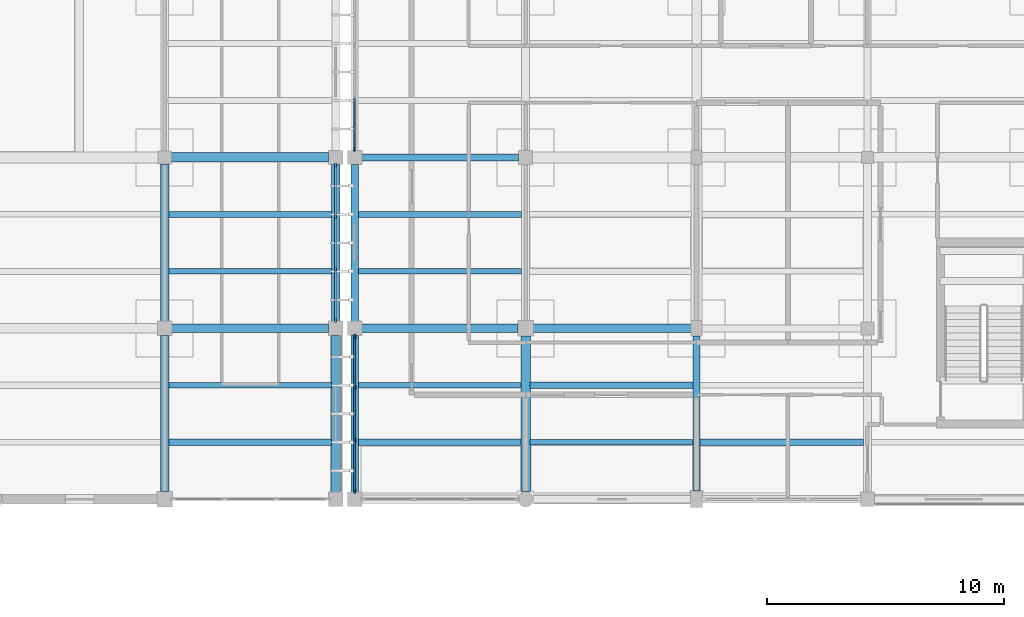
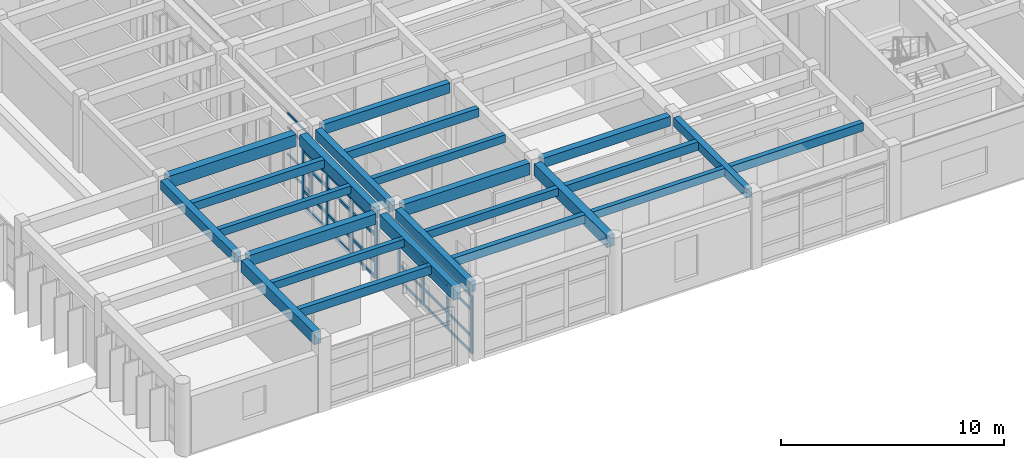
# One storey, part 30 of 100: 37 members, 24 beams, 3 elements without a shape of their own.
"""IFC4 building model written with IfcOpenShell, lengths in metres."""

from ifc_helpers import new_model, si_unit, direction, frame, origin, origin_2d, place, context, subcontext, project, spatial, rectangle, extrude, material, material_profile, profile_set, type_object, element, aggregate, save


model = new_model("IFC4")

# Units and contexts
model_context = context("Model", 3, precision=1e-05, world=origin(), true_north=direction((0.0, 1.0)))
body_context = subcontext(model_context, "Body", "Model", "MODEL_VIEW")
ifc_project = project(units=[si_unit("LENGTHUNIT", "METRE"), si_unit("AREAUNIT", "SQUARE_METRE"), si_unit("VOLUMEUNIT", "CUBIC_METRE"), si_unit("PLANEANGLEUNIT", "RADIAN"), si_unit("MASSUNIT", "GRAM", prefix="KILO")], contexts=[model_context])

# Site, building, storey
site_placement = place(None, origin())
site = spatial("IfcSite", under=ifc_project, at=site_placement, CompositionType="ELEMENT")
building_placement = place(site_placement, origin())
building = spatial("IfcBuilding", under=site, at=building_placement, Name="Steenspoor Specialist Clinic", CompositionType="ELEMENT")
storey_placement = place(building_placement, frame((0.0, 0.0, 9.0)))
storey = spatial("IfcBuildingStorey", under=building, at=storey_placement, Name="L02", CompositionType="ELEMENT", Elevation=9.0)

# Beams
ifc_material_1 = material(Name="Concrete C35/45", Category="concrete")
ifc_material_profile_1 = material_profile(ifc_material_1, rectangle(XDim=0.300048828125, YDim=0.47998046875, at=origin_2d()), Name="RC-BM-300X480")
ifc_profile_set_1 = profile_set([ifc_material_profile_1], Name="Concrete C35/45")
beam_type_1 = type_object("IfcBeamType", Name="BM-RC-300X480", PredefinedType="BEAM", material=ifc_profile_set_1)
beam_1_placement = place(storey_placement, frame((132.39990234375, 65.4951171875, 3.7099609375), z_axis=(0.0, 1.0, 0.0), x_axis=(-1.0, 0.0, 0.0)))
element("IfcBeam", 1, at=beam_1_placement, inside=storey, type_object=beam_type_1, Name="BM-V6-L02-Y1639", PredefinedType="BEAM", context=body_context, shape_type="SweptSolid", body=[
    extrude(rectangle(XDim=0.300048828125, YDim=0.47998046875, at=origin_2d()), origin(), (0.0, 0.0, 1.0), 6.534912109375),
])
ifc_material_profile_2 = material_profile(ifc_material_1, rectangle(XDim=0.300048828125, YDim=0.550048828125, at=origin_2d()), Name="RC-BM-300X550")
ifc_profile_set_2 = profile_set([ifc_material_profile_2], Name="Concrete C35/45")
beam_type_2 = type_object("IfcBeamType", Name="BM-RC-300X550", PredefinedType="BEAM", material=ifc_profile_set_2)
beam_2_placement = place(storey_placement, frame((118.294921875, 79.550048828125, 3.675048828125), z_axis=(1.0, 0.0, 0.0), x_axis=(0.0, 1.0, 0.0)))
element("IfcBeam", 2, at=beam_2_placement, inside=storey, type_object=beam_type_2, Name="BM-V6-L02-X1608", PredefinedType="BEAM", context=body_context, shape_type="SweptSolid", body=[
    extrude(rectangle(XDim=0.300048828125, YDim=0.550048828125, at=origin_2d()), origin(), (0.0, 0.0, 1.0), 6.610107421875),
])
ifc_material_profile_3 = material_profile(ifc_material_1, rectangle(XDim=0.35009765625, YDim=0.52001953125, at=origin_2d()), Name="RC-BM-350X520")
ifc_profile_set_3 = profile_set([ifc_material_profile_3], Name="Concrete C35/45")
beam_type_3 = type_object("IfcBeamType", Name="BM-RC-350X520", PredefinedType="BEAM", material=ifc_profile_set_3)
beam_3_placement = place(storey_placement, frame((110.0, 72.64501953125, 3.68994140625), z_axis=(0.0, 1.0, 0.0), x_axis=(-1.0, 0.0, 0.0)))
element("IfcBeam", 3, at=beam_3_placement, inside=storey, type_object=beam_type_3, Name="BM-V4-L02-Y0726", PredefinedType="BEAM", context=body_context, shape_type="SweptSolid", body=[
    extrude(rectangle(XDim=0.35009765625, YDim=0.52001953125, at=origin_2d()), origin(), (0.0, 0.0, 1.0), 6.635009765625),
])
beam_4_placement = place(storey_placement, frame((125.52001953125, 72.35009765625, 3.68994140625), z_axis=(1.0, 0.0, 0.0), x_axis=(0.0, 1.0, 0.0)))
element("IfcBeam", 4, at=beam_4_placement, inside=storey, type_object=beam_type_3, Name="BM-V6-L02-X1606", PredefinedType="BEAM", context=body_context, shape_type="SweptSolid", body=[
    extrude(rectangle(XDim=0.35009765625, YDim=0.52001953125, at=origin_2d()), origin(), (0.0, 0.0, 1.0), 6.659912109375),
])
ifc_material_profile_4 = material_profile(ifc_material_1, rectangle(XDim=0.35009765625, YDim=0.580078125, at=origin_2d()), Name="RC-BM-350X580")
ifc_profile_set_4 = profile_set([ifc_material_profile_4], Name="Concrete C35/45")
beam_type_4 = type_object("IfcBeamType", Name="BM-RC-350X580", PredefinedType="BEAM", material=ifc_profile_set_4)
beam_5_placement = place(storey_placement, frame((110.294921875, 72.35009765625, 3.659912109375), z_axis=(1.0, 0.0, 0.0), x_axis=(0.0, 1.0, 0.0)))
element("IfcBeam", 5, at=beam_5_placement, inside=storey, type_object=beam_type_4, Name="BM-V4-L02-X0648", PredefinedType="BEAM", context=body_context, shape_type="SweptSolid", body=[
    extrude(rectangle(XDim=0.35009765625, YDim=0.580078125, at=origin_2d()), origin(), (0.0, 0.0, 1.0), 6.610107421875),
])
ifc_material_profile_5 = material_profile(ifc_material_1, rectangle(XDim=0.35009765625, YDim=0.64990234375, at=origin_2d()), Name="RC-BM-350X650")
ifc_profile_set_5 = profile_set([ifc_material_profile_5], Name="Concrete C35/45")
beam_type_5 = type_object("IfcBeamType", Name="BM-RC-350X650", PredefinedType="BEAM", material=ifc_profile_set_5)
for number, where, z_axis, x_axis, name in (
    (6, (110.0, 65.469970703125, 3.625), (0.0, 1.0, 0.0), (-1.0, 0.0, 0.0), "BM-V4-L02-Y0725"),
    (7, (118.294921875, 72.35009765625, 3.625), (1.0, 0.0, 0.0), (0.0, 1.0, 0.0), "BM-V6-L02-X1605"),
):
    element("IfcBeam", number, at=place(storey_placement, frame(where, z_axis=z_axis, x_axis=x_axis)), inside=storey, type_object=beam_type_5, Name=name, PredefinedType="BEAM", context=body_context, shape_type="SweptSolid", body=[
        extrude(rectangle(XDim=0.35009765625, YDim=0.64990234375, at=origin_2d()), origin(), (0.0, 0.0, 1.0), 6.5849609375),
    ])
ifc_material_profile_6 = material_profile(ifc_material_1, rectangle(XDim=0.39990234375, YDim=0.64990234375, at=origin_2d()), Name="RC-BM-400X650")
ifc_profile_set_6 = profile_set([ifc_material_profile_6], Name="Concrete C35/45")
beam_type_6 = type_object("IfcBeamType", Name="BM-RC-400X650", PredefinedType="BEAM", material=ifc_profile_set_6)
beam_6_placement = place(storey_placement, frame((110.27001953125, 79.550048828125, 3.625), z_axis=(1.0, 0.0, 0.0), x_axis=(0.0, 1.0, 0.0)))
element("IfcBeam", 8, at=beam_6_placement, inside=storey, type_object=beam_type_6, Name="BM-V4-L02-X0655", PredefinedType="BEAM", context=body_context, shape_type="SweptSolid", body=[
    extrude(rectangle(XDim=0.39990234375, YDim=0.64990234375, at=origin_2d()), origin(), (0.0, 0.0, 1.0), 6.635009765625),
])
beam_7_placement = place(storey_placement, frame((125.199951171875, 65.469970703125, 3.625), z_axis=(0.0, 1.0, 0.0), x_axis=(-1.0, 0.0, 0.0)))
element("IfcBeam", 9, at=beam_7_placement, inside=storey, type_object=beam_type_6, Name="BM-V6-L02-Y1633", PredefinedType="BEAM", context=body_context, shape_type="SweptSolid", body=[
    extrude(rectangle(XDim=0.39990234375, YDim=0.64990234375, at=origin_2d()), origin(), (0.0, 0.0, 1.0), 6.56005859375),
])

# Curtain wall, member
ifc_material_2 = material(Name="Thermally broken aluminium and low-emissivity glass", Category="aluminium")
curtain_wall_type_1 = type_object("IfcCurtainWallType", Name="CW-WLK-640X340", PredefinedType="USERDEFINED", material=ifc_material_2)
curtain_wall_1_placement = place(storey_placement, origin())
curtain_wall_1 = element("IfcCurtainWall", 10, at=curtain_wall_1_placement, inside=storey, type_object=curtain_wall_type_1, Name="Unitised Curtain Wall CW-V6-L02-188", ObjectType="UNITISED GLAZING", PredefinedType="USERDEFINED")
ifc_material_3 = material(Name="Thermally broken aluminium 6063-T6", Category="aluminium")
ifc_material_profile_7 = material_profile(ifc_material_3, rectangle(XDim=0.070068359375, YDim=0.1650390625, at=origin_2d()), Name="CWM-70X165")
ifc_profile_set_7 = profile_set([ifc_material_profile_7], Name="Thermally broken aluminium 6063-T6")
member_type_1 = type_object("IfcMemberType", Name="CW-MULL-70X165", PredefinedType="MULLION", material=ifc_profile_set_7)
member_1_placement = place(storey_placement, frame((118.0, 79.885009765625, 0.0), z_axis=(0.0, 0.0, 1.0), x_axis=(-1.0, 0.0, 0.0)))
member_1 = element("IfcMember", 11, at=member_1_placement, type_object=member_type_1, Name="CW-20 mullion 1", PredefinedType="MULLION", context=body_context, shape_type="SweptSolid", body=[
    extrude(rectangle(XDim=0.070068359375, YDim=0.1650390625, at=origin_2d()), origin(), (0.0, 0.0, 1.0), 3.1298828125),
])

# Curtain wall, members
curtain_wall_type_2 = type_object("IfcCurtainWallType", Name="CW-SCR-360X320", PredefinedType="USERDEFINED", material=ifc_material_2)
curtain_wall_2_placement = place(storey_placement, origin())
curtain_wall_2 = element("IfcCurtainWall", 12, at=curtain_wall_2_placement, inside=storey, type_object=curtain_wall_type_2, Name="Unitised Curtain Wall CW-V6-L02-187", ObjectType="UNITISED GLAZING", PredefinedType="USERDEFINED")
ifc_material_profile_8 = material_profile(ifc_material_3, rectangle(XDim=0.080078125, YDim=0.179931640625, at=origin_2d()), Name="CWM-80X180")
ifc_profile_set_8 = profile_set([ifc_material_profile_8], Name="Thermally broken aluminium 6063-T6")
member_type_2 = type_object("IfcMemberType", Name="CW-MULL-80X180", PredefinedType="MULLION", material=ifc_profile_set_8)
member_2_placement = place(storey_placement, frame((118.0, 65.489990234375, 0.0), z_axis=(0.0, 0.0, 1.0), x_axis=(-1.0, 0.0, 0.0)))
member_2 = element("IfcMember", 13, at=member_2_placement, type_object=member_type_2, Name="CW-19 mullion 1", PredefinedType="MULLION", context=body_context, shape_type="SweptSolid", body=[
    extrude(rectangle(XDim=0.080078125, YDim=0.179931640625, at=origin_2d()), origin(), (0.0, 0.0, 1.0), 3.1298828125),
])
member_3_placement = place(storey_placement, frame((118.0, 67.64990234375, 0.0), z_axis=(0.0, 0.0, 1.0), x_axis=(-1.0, 0.0, 0.0)))
member_3 = element("IfcMember", 14, at=member_3_placement, type_object=member_type_2, Name="CW-19 mullion 2", PredefinedType="MULLION", context=body_context, shape_type="SweptSolid", body=[
    extrude(rectangle(XDim=0.080078125, YDim=0.179931640625, at=origin_2d()), origin(), (0.0, 0.0, 1.0), 3.1298828125),
])
member_4_placement = place(storey_placement, frame((118.0, 69.85009765625, 0.0), z_axis=(0.0, 0.0, 1.0), x_axis=(-1.0, 0.0, 0.0)))
member_4 = element("IfcMember", 15, at=member_4_placement, type_object=member_type_2, Name="CW-19 mullion 3", PredefinedType="MULLION", context=body_context, shape_type="SweptSolid", body=[
    extrude(rectangle(XDim=0.080078125, YDim=0.179931640625, at=origin_2d()), origin(), (0.0, 0.0, 1.0), 3.1298828125),
])
member_5_placement = place(storey_placement, frame((118.0, 72.010009765625, 0.0), z_axis=(0.0, 0.0, 1.0), x_axis=(-1.0, 0.0, 0.0)))
member_5 = element("IfcMember", 16, at=member_5_placement, type_object=member_type_2, Name="CW-19 mullion 4", PredefinedType="MULLION", context=body_context, shape_type="SweptSolid", body=[
    extrude(rectangle(XDim=0.080078125, YDim=0.179931640625, at=origin_2d()), origin(), (0.0, 0.0, 1.0), 3.1298828125),
])

curtain_wall_type_3 = type_object("IfcCurtainWallType", Name="CW-SCR-660X320", PredefinedType="USERDEFINED", material=ifc_material_2)
curtain_wall_3_placement = place(storey_placement, origin())
curtain_wall_3 = element("IfcCurtainWall", 17, at=curtain_wall_3_placement, inside=storey, type_object=curtain_wall_type_3, Name="Unitised Curtain Wall CW-V4-L02-089", ObjectType="UNITISED GLAZING", PredefinedType="USERDEFINED")
ifc_material_profile_9 = material_profile(ifc_material_3, rectangle(XDim=0.090087890625, YDim=0.199951171875, at=origin_2d()), Name="CWM-90X200")
ifc_profile_set_9 = profile_set([ifc_material_profile_9], Name="Thermally broken aluminium 6063-T6")
member_type_3 = type_object("IfcMemberType", Name="CW-MULL-90X200", PredefinedType="MULLION", material=ifc_profile_set_9)
member_6_placement = place(storey_placement, frame((117.199951171875, 79.205078125, 0.0), z_axis=(0.0, 0.0, 1.0), x_axis=(1.0, 0.0, 0.0)))
member_6 = element("IfcMember", 18, at=member_6_placement, type_object=member_type_3, Name="CW-17 mullion 1", PredefinedType="MULLION", context=body_context, shape_type="SweptSolid", body=[
    extrude(rectangle(XDim=0.090087890625, YDim=0.199951171875, at=origin_2d()), origin(), (0.0, 0.0, 1.0), 3.1298828125),
])
member_7_placement = place(storey_placement, frame((117.199951171875, 77.050048828125, 0.0), z_axis=(0.0, 0.0, 1.0), x_axis=(1.0, 0.0, 0.0)))
member_7 = element("IfcMember", 19, at=member_7_placement, type_object=member_type_3, Name="CW-17 mullion 2", PredefinedType="MULLION", context=body_context, shape_type="SweptSolid", body=[
    extrude(rectangle(XDim=0.090087890625, YDim=0.199951171875, at=origin_2d()), origin(), (0.0, 0.0, 1.0), 3.1298828125),
])
member_8_placement = place(storey_placement, frame((117.199951171875, 74.85009765625, 0.0), z_axis=(0.0, 0.0, 1.0), x_axis=(1.0, 0.0, 0.0)))
member_8 = element("IfcMember", 20, at=member_8_placement, type_object=member_type_3, Name="CW-17 mullion 3", PredefinedType="MULLION", context=body_context, shape_type="SweptSolid", body=[
    extrude(rectangle(XDim=0.090087890625, YDim=0.199951171875, at=origin_2d()), origin(), (0.0, 0.0, 1.0), 3.1298828125),
])
member_9_placement = place(storey_placement, frame((117.199951171875, 72.695068359375, 0.0), z_axis=(0.0, 0.0, 1.0), x_axis=(1.0, 0.0, 0.0)))
member_9 = element("IfcMember", 21, at=member_9_placement, type_object=member_type_3, Name="CW-17 mullion 4", PredefinedType="MULLION", context=body_context, shape_type="SweptSolid", body=[
    extrude(rectangle(XDim=0.090087890625, YDim=0.199951171875, at=origin_2d()), origin(), (0.0, 0.0, 1.0), 3.1298828125),
])

# Member
ifc_material_profile_10 = material_profile(ifc_material_3, rectangle(XDim=0.06005859375, YDim=0.114990234375, at=origin_2d()), Name="CWT-60X115")
ifc_profile_set_10 = profile_set([ifc_material_profile_10], Name="Thermally broken aluminium 6063-T6")
member_type_4 = type_object("IfcMemberType", Name="CW-TRAN-60X115", PredefinedType="USERDEFINED", material=ifc_profile_set_10)
member_10_placement = place(storey_placement, frame((118.0, 79.919921875, 0.030029296875), z_axis=(0.0, 1.0, 0.0), x_axis=(-1.0, 0.0, 0.0)))
member_10 = element("IfcMember", 22, at=member_10_placement, type_object=member_type_4, Name="CW-20 transom 1.1", ObjectType="TRANSOM", PredefinedType="USERDEFINED", context=body_context, shape_type="SweptSolid", body=[
    extrude(rectangle(XDim=0.06005859375, YDim=0.114990234375, at=origin_2d()), origin(), (0.0, 0.0, 1.0), 2.094970703125),
])

member_11_placement = place(storey_placement, frame((118.0, 79.919921875, 0.89990234375), z_axis=(0.0, 1.0, 0.0), x_axis=(-1.0, 0.0, 0.0)))
member_11 = element("IfcMember", 23, at=member_11_placement, type_object=member_type_4, Name="CW-20 transom 1.2", ObjectType="TRANSOM", PredefinedType="USERDEFINED", context=body_context, shape_type="SweptSolid", body=[
    extrude(rectangle(XDim=0.06005859375, YDim=0.114990234375, at=origin_2d()), origin(), (0.0, 0.0, 1.0), 2.094970703125),
])

member_12_placement = place(storey_placement, frame((118.0, 79.919921875, 2.35009765625), z_axis=(0.0, 1.0, 0.0), x_axis=(-1.0, 0.0, 0.0)))
member_12 = element("IfcMember", 24, at=member_12_placement, type_object=member_type_4, Name="CW-20 transom 1.3", ObjectType="TRANSOM", PredefinedType="USERDEFINED", context=body_context, shape_type="SweptSolid", body=[
    extrude(rectangle(XDim=0.06005859375, YDim=0.114990234375, at=origin_2d()), origin(), (0.0, 0.0, 1.0), 2.094970703125),
])

member_13_placement = place(storey_placement, frame((118.0, 79.919921875, 3.10009765625), z_axis=(0.0, 1.0, 0.0), x_axis=(-1.0, 0.0, 0.0)))
member_13 = element("IfcMember", 25, at=member_13_placement, type_object=member_type_4, Name="CW-20 transom 1.4", ObjectType="TRANSOM", PredefinedType="USERDEFINED", context=body_context, shape_type="SweptSolid", body=[
    extrude(rectangle(XDim=0.06005859375, YDim=0.114990234375, at=origin_2d()), origin(), (0.0, 0.0, 1.0), 2.094970703125),
])

aggregate(curtain_wall_1, [member_1, member_10, member_11, member_12, member_13])

ifc_material_profile_11 = material_profile(ifc_material_3, rectangle(XDim=0.06494140625, YDim=0.1298828125, at=origin_2d()), Name="CWT-65X130")
ifc_profile_set_11 = profile_set([ifc_material_profile_11], Name="Thermally broken aluminium 6063-T6")
member_type_5 = type_object("IfcMemberType", Name="CW-TRAN-65X130", PredefinedType="USERDEFINED", material=ifc_profile_set_11)
member_14_placement = place(storey_placement, frame((118.0, 65.530029296875, 0.032470703125), z_axis=(0.0, 1.0, 0.0), x_axis=(-1.0, 0.0, 0.0)))
member_14 = element("IfcMember", 26, at=member_14_placement, type_object=member_type_5, Name="CW-19 transom 1.1", ObjectType="TRANSOM", PredefinedType="USERDEFINED", context=body_context, shape_type="SweptSolid", body=[
    extrude(rectangle(XDim=0.06494140625, YDim=0.1298828125, at=origin_2d()), origin(), (0.0, 0.0, 1.0), 2.080078125),
])

member_15_placement = place(storey_placement, frame((118.0, 65.530029296875, 0.89990234375), z_axis=(0.0, 1.0, 0.0), x_axis=(-1.0, 0.0, 0.0)))
member_15 = element("IfcMember", 27, at=member_15_placement, type_object=member_type_5, Name="CW-19 transom 1.2", ObjectType="TRANSOM", PredefinedType="USERDEFINED", context=body_context, shape_type="SweptSolid", body=[
    extrude(rectangle(XDim=0.06494140625, YDim=0.1298828125, at=origin_2d()), origin(), (0.0, 0.0, 1.0), 2.080078125),
])

member_16_placement = place(storey_placement, frame((118.0, 65.530029296875, 2.35009765625), z_axis=(0.0, 1.0, 0.0), x_axis=(-1.0, 0.0, 0.0)))
member_16 = element("IfcMember", 28, at=member_16_placement, type_object=member_type_5, Name="CW-19 transom 1.3", ObjectType="TRANSOM", PredefinedType="USERDEFINED", context=body_context, shape_type="SweptSolid", body=[
    extrude(rectangle(XDim=0.06494140625, YDim=0.1298828125, at=origin_2d()), origin(), (0.0, 0.0, 1.0), 2.080078125),
])

member_17_placement = place(storey_placement, frame((118.0, 65.530029296875, 3.097412109375), z_axis=(0.0, 1.0, 0.0), x_axis=(-1.0, 0.0, 0.0)))
member_17 = element("IfcMember", 29, at=member_17_placement, type_object=member_type_5, Name="CW-19 transom 1.4", ObjectType="TRANSOM", PredefinedType="USERDEFINED", context=body_context, shape_type="SweptSolid", body=[
    extrude(rectangle(XDim=0.06494140625, YDim=0.1298828125, at=origin_2d()), origin(), (0.0, 0.0, 1.0), 2.080078125),
])

member_18_placement = place(storey_placement, frame((118.0, 67.68994140625, 0.032470703125), z_axis=(0.0, 1.0, 0.0), x_axis=(-1.0, 0.0, 0.0)))
member_18 = element("IfcMember", 30, at=member_18_placement, type_object=member_type_5, Name="CW-19 transom 2.1", ObjectType="TRANSOM", PredefinedType="USERDEFINED", context=body_context, shape_type="SweptSolid", body=[
    extrude(rectangle(XDim=0.06494140625, YDim=0.1298828125, at=origin_2d()), origin(), (0.0, 0.0, 1.0), 2.1201171875),
])

member_19_placement = place(storey_placement, frame((118.0, 67.68994140625, 0.89990234375), z_axis=(0.0, 1.0, 0.0), x_axis=(-1.0, 0.0, 0.0)))
member_19 = element("IfcMember", 31, at=member_19_placement, type_object=member_type_5, Name="CW-19 transom 2.2", ObjectType="TRANSOM", PredefinedType="USERDEFINED", context=body_context, shape_type="SweptSolid", body=[
    extrude(rectangle(XDim=0.06494140625, YDim=0.1298828125, at=origin_2d()), origin(), (0.0, 0.0, 1.0), 2.1201171875),
])

member_20_placement = place(storey_placement, frame((118.0, 67.68994140625, 2.35009765625), z_axis=(0.0, 1.0, 0.0), x_axis=(-1.0, 0.0, 0.0)))
member_20 = element("IfcMember", 32, at=member_20_placement, type_object=member_type_5, Name="CW-19 transom 2.3", ObjectType="TRANSOM", PredefinedType="USERDEFINED", context=body_context, shape_type="SweptSolid", body=[
    extrude(rectangle(XDim=0.06494140625, YDim=0.1298828125, at=origin_2d()), origin(), (0.0, 0.0, 1.0), 2.1201171875),
])

member_21_placement = place(storey_placement, frame((118.0, 67.68994140625, 3.097412109375), z_axis=(0.0, 1.0, 0.0), x_axis=(-1.0, 0.0, 0.0)))
member_21 = element("IfcMember", 33, at=member_21_placement, type_object=member_type_5, Name="CW-19 transom 2.4", ObjectType="TRANSOM", PredefinedType="USERDEFINED", context=body_context, shape_type="SweptSolid", body=[
    extrude(rectangle(XDim=0.06494140625, YDim=0.1298828125, at=origin_2d()), origin(), (0.0, 0.0, 1.0), 2.1201171875),
])

member_22_placement = place(storey_placement, frame((118.0, 69.889892578125, 0.032470703125), z_axis=(0.0, 1.0, 0.0), x_axis=(-1.0, 0.0, 0.0)))
member_22 = element("IfcMember", 34, at=member_22_placement, type_object=member_type_5, Name="CW-19 transom 3.1", ObjectType="TRANSOM", PredefinedType="USERDEFINED", context=body_context, shape_type="SweptSolid", body=[
    extrude(rectangle(XDim=0.06494140625, YDim=0.1298828125, at=origin_2d()), origin(), (0.0, 0.0, 1.0), 2.080078125),
])

member_23_placement = place(storey_placement, frame((118.0, 69.889892578125, 0.89990234375), z_axis=(0.0, 1.0, 0.0), x_axis=(-1.0, 0.0, 0.0)))
member_23 = element("IfcMember", 35, at=member_23_placement, type_object=member_type_5, Name="CW-19 transom 3.2", ObjectType="TRANSOM", PredefinedType="USERDEFINED", context=body_context, shape_type="SweptSolid", body=[
    extrude(rectangle(XDim=0.06494140625, YDim=0.1298828125, at=origin_2d()), origin(), (0.0, 0.0, 1.0), 2.080078125),
])

member_24_placement = place(storey_placement, frame((118.0, 69.889892578125, 2.35009765625), z_axis=(0.0, 1.0, 0.0), x_axis=(-1.0, 0.0, 0.0)))
member_24 = element("IfcMember", 36, at=member_24_placement, type_object=member_type_5, Name="CW-19 transom 3.3", ObjectType="TRANSOM", PredefinedType="USERDEFINED", context=body_context, shape_type="SweptSolid", body=[
    extrude(rectangle(XDim=0.06494140625, YDim=0.1298828125, at=origin_2d()), origin(), (0.0, 0.0, 1.0), 2.080078125),
])

member_25_placement = place(storey_placement, frame((118.0, 69.889892578125, 3.097412109375), z_axis=(0.0, 1.0, 0.0), x_axis=(-1.0, 0.0, 0.0)))
member_25 = element("IfcMember", 37, at=member_25_placement, type_object=member_type_5, Name="CW-19 transom 3.4", ObjectType="TRANSOM", PredefinedType="USERDEFINED", context=body_context, shape_type="SweptSolid", body=[
    extrude(rectangle(XDim=0.06494140625, YDim=0.1298828125, at=origin_2d()), origin(), (0.0, 0.0, 1.0), 2.080078125),
])

aggregate(curtain_wall_2, [member_2, member_3, member_4, member_5, member_14, member_15, member_16, member_17, member_18, member_19, member_20, member_21, member_22, member_23, member_24, member_25])

ifc_material_profile_12 = material_profile(ifc_material_3, rectangle(XDim=0.090087890625, YDim=0.175048828125, at=origin_2d()), Name="CWT-90X175")
ifc_profile_set_12 = profile_set([ifc_material_profile_12], Name="Thermally broken aluminium 6063-T6")
member_type_6 = type_object("IfcMemberType", Name="CW-TRAN-90X175", PredefinedType="USERDEFINED", material=ifc_profile_set_12)
member_26_placement = place(storey_placement, frame((117.199951171875, 79.159912109375, 0.044921875), z_axis=(0.0, -1.0, 0.0), x_axis=(1.0, 0.0, 0.0)))
member_26 = element("IfcMember", 38, at=member_26_placement, type_object=member_type_6, Name="CW-17 transom 1.1", ObjectType="TRANSOM", PredefinedType="USERDEFINED", context=body_context, shape_type="SweptSolid", body=[
    extrude(rectangle(XDim=0.090087890625, YDim=0.175048828125, at=origin_2d()), origin(), (0.0, 0.0, 1.0), 2.06494140625),
])

member_27_placement = place(storey_placement, frame((117.199951171875, 79.159912109375, 0.89990234375), z_axis=(0.0, -1.0, 0.0), x_axis=(1.0, 0.0, 0.0)))
member_27 = element("IfcMember", 39, at=member_27_placement, type_object=member_type_6, Name="CW-17 transom 1.2", ObjectType="TRANSOM", PredefinedType="USERDEFINED", context=body_context, shape_type="SweptSolid", body=[
    extrude(rectangle(XDim=0.090087890625, YDim=0.175048828125, at=origin_2d()), origin(), (0.0, 0.0, 1.0), 2.06494140625),
])

member_28_placement = place(storey_placement, frame((117.199951171875, 79.159912109375, 2.35009765625), z_axis=(0.0, -1.0, 0.0), x_axis=(1.0, 0.0, 0.0)))
member_28 = element("IfcMember", 40, at=member_28_placement, type_object=member_type_6, Name="CW-17 transom 1.3", ObjectType="TRANSOM", PredefinedType="USERDEFINED", context=body_context, shape_type="SweptSolid", body=[
    extrude(rectangle(XDim=0.090087890625, YDim=0.175048828125, at=origin_2d()), origin(), (0.0, 0.0, 1.0), 2.06494140625),
])

member_29_placement = place(storey_placement, frame((117.199951171875, 79.159912109375, 3.0849609375), z_axis=(0.0, -1.0, 0.0), x_axis=(1.0, 0.0, 0.0)))
member_29 = element("IfcMember", 41, at=member_29_placement, type_object=member_type_6, Name="CW-17 transom 1.4", ObjectType="TRANSOM", PredefinedType="USERDEFINED", context=body_context, shape_type="SweptSolid", body=[
    extrude(rectangle(XDim=0.090087890625, YDim=0.175048828125, at=origin_2d()), origin(), (0.0, 0.0, 1.0), 2.06494140625),
])

member_30_placement = place(storey_placement, frame((117.199951171875, 77.0048828125, 0.044921875), z_axis=(0.0, -1.0, 0.0), x_axis=(1.0, 0.0, 0.0)))
member_30 = element("IfcMember", 42, at=member_30_placement, type_object=member_type_6, Name="CW-17 transom 2.1", ObjectType="TRANSOM", PredefinedType="USERDEFINED", context=body_context, shape_type="SweptSolid", body=[
    extrude(rectangle(XDim=0.090087890625, YDim=0.175048828125, at=origin_2d()), origin(), (0.0, 0.0, 1.0), 2.10986328125),
])

member_31_placement = place(storey_placement, frame((117.199951171875, 77.0048828125, 0.89990234375), z_axis=(0.0, -1.0, 0.0), x_axis=(1.0, 0.0, 0.0)))
member_31 = element("IfcMember", 43, at=member_31_placement, type_object=member_type_6, Name="CW-17 transom 2.2", ObjectType="TRANSOM", PredefinedType="USERDEFINED", context=body_context, shape_type="SweptSolid", body=[
    extrude(rectangle(XDim=0.090087890625, YDim=0.175048828125, at=origin_2d()), origin(), (0.0, 0.0, 1.0), 2.10986328125),
])

member_32_placement = place(storey_placement, frame((117.199951171875, 77.0048828125, 2.35009765625), z_axis=(0.0, -1.0, 0.0), x_axis=(1.0, 0.0, 0.0)))
member_32 = element("IfcMember", 44, at=member_32_placement, type_object=member_type_6, Name="CW-17 transom 2.3", ObjectType="TRANSOM", PredefinedType="USERDEFINED", context=body_context, shape_type="SweptSolid", body=[
    extrude(rectangle(XDim=0.090087890625, YDim=0.175048828125, at=origin_2d()), origin(), (0.0, 0.0, 1.0), 2.10986328125),
])

member_33_placement = place(storey_placement, frame((117.199951171875, 77.0048828125, 3.0849609375), z_axis=(0.0, -1.0, 0.0), x_axis=(1.0, 0.0, 0.0)))
member_33 = element("IfcMember", 45, at=member_33_placement, type_object=member_type_6, Name="CW-17 transom 2.4", ObjectType="TRANSOM", PredefinedType="USERDEFINED", context=body_context, shape_type="SweptSolid", body=[
    extrude(rectangle(XDim=0.090087890625, YDim=0.175048828125, at=origin_2d()), origin(), (0.0, 0.0, 1.0), 2.10986328125),
])

member_34_placement = place(storey_placement, frame((117.199951171875, 74.804931640625, 0.044921875), z_axis=(0.0, -1.0, 0.0), x_axis=(1.0, 0.0, 0.0)))
member_34 = element("IfcMember", 46, at=member_34_placement, type_object=member_type_6, Name="CW-17 transom 3.1", ObjectType="TRANSOM", PredefinedType="USERDEFINED", context=body_context, shape_type="SweptSolid", body=[
    extrude(rectangle(XDim=0.090087890625, YDim=0.175048828125, at=origin_2d()), origin(), (0.0, 0.0, 1.0), 2.06494140625),
])

member_35_placement = place(storey_placement, frame((117.199951171875, 74.804931640625, 0.89990234375), z_axis=(0.0, -1.0, 0.0), x_axis=(1.0, 0.0, 0.0)))
member_35 = element("IfcMember", 47, at=member_35_placement, type_object=member_type_6, Name="CW-17 transom 3.2", ObjectType="TRANSOM", PredefinedType="USERDEFINED", context=body_context, shape_type="SweptSolid", body=[
    extrude(rectangle(XDim=0.090087890625, YDim=0.175048828125, at=origin_2d()), origin(), (0.0, 0.0, 1.0), 2.06494140625),
])

member_36_placement = place(storey_placement, frame((117.199951171875, 74.804931640625, 2.35009765625), z_axis=(0.0, -1.0, 0.0), x_axis=(1.0, 0.0, 0.0)))
member_36 = element("IfcMember", 48, at=member_36_placement, type_object=member_type_6, Name="CW-17 transom 3.3", ObjectType="TRANSOM", PredefinedType="USERDEFINED", context=body_context, shape_type="SweptSolid", body=[
    extrude(rectangle(XDim=0.090087890625, YDim=0.175048828125, at=origin_2d()), origin(), (0.0, 0.0, 1.0), 2.06494140625),
])

member_37_placement = place(storey_placement, frame((117.199951171875, 74.804931640625, 3.0849609375), z_axis=(0.0, -1.0, 0.0), x_axis=(1.0, 0.0, 0.0)))
member_37 = element("IfcMember", 49, at=member_37_placement, type_object=member_type_6, Name="CW-17 transom 3.4", ObjectType="TRANSOM", PredefinedType="USERDEFINED", context=body_context, shape_type="SweptSolid", body=[
    extrude(rectangle(XDim=0.090087890625, YDim=0.175048828125, at=origin_2d()), origin(), (0.0, 0.0, 1.0), 2.06494140625),
])

aggregate(curtain_wall_3, [member_6, member_7, member_8, member_9, member_26, member_27, member_28, member_29, member_30, member_31, member_32, member_33, member_34, member_35, member_36, member_37])

# Beams
ifc_material_profile_13 = material_profile(ifc_material_1, rectangle(XDim=0.239990234375, YDim=0.419921875, at=origin_2d()), Name="RC-JT-240X420")
ifc_profile_set_13 = profile_set([ifc_material_profile_13], Name="Concrete C35/45")
beam_type_7 = type_object("IfcBeamType", Name="JT-RC-240X420", PredefinedType="JOIST", material=ifc_profile_set_13)
for number, where, z_axis, x_axis, name in (
    (50, (110.169921875, 69.949951171875, 3.739990234375), (1.0, 0.0, 0.0), (0.0, 1.0, 0.0), "JT-V4-L02-0798"),
    (51, (110.169921875, 74.75, 3.739990234375), (1.0, 0.0, 0.0), (0.0, 1.0, 0.0), "JT-V4-L02-0799"),
):
    element("IfcBeam", number, at=place(storey_placement, frame(where, z_axis=z_axis, x_axis=x_axis)), inside=storey, type_object=beam_type_7, Name=name, PredefinedType="JOIST", context=body_context, shape_type="SweptSolid", body=[
        extrude(rectangle(XDim=0.239990234375, YDim=0.419921875, at=origin_2d()), origin(), (0.0, 0.0, 1.0), 6.85498046875),
    ])
beam_8_placement = place(storey_placement, frame((118.155029296875, 69.949951171875, 3.739990234375), z_axis=(1.0, 0.0, 0.0), x_axis=(0.0, 1.0, 0.0)))
element("IfcBeam", 52, at=beam_8_placement, inside=storey, type_object=beam_type_7, Name="JT-V6-L02-1658", PredefinedType="JOIST", context=body_context, shape_type="SweptSolid", body=[
    extrude(rectangle(XDim=0.239990234375, YDim=0.419921875, at=origin_2d()), origin(), (0.0, 0.0, 1.0), 6.849853515625),
])
beam_9_placement = place(storey_placement, frame((118.155029296875, 74.75, 3.739990234375), z_axis=(1.0, 0.0, 0.0), x_axis=(0.0, 1.0, 0.0)))
element("IfcBeam", 53, at=beam_9_placement, inside=storey, type_object=beam_type_7, Name="JT-V6-L02-1659", PredefinedType="JOIST", context=body_context, shape_type="SweptSolid", body=[
    extrude(rectangle(XDim=0.239990234375, YDim=0.419921875, at=origin_2d()), origin(), (0.0, 0.0, 1.0), 6.875),
])
beam_10_placement = place(storey_placement, frame((125.39501953125, 67.550048828125, 3.739990234375), z_axis=(1.0, 0.0, 0.0), x_axis=(0.0, 1.0, 0.0)))
element("IfcBeam", 54, at=beam_10_placement, inside=storey, type_object=beam_type_7, Name="JT-V6-L02-1669", PredefinedType="JOIST", context=body_context, shape_type="SweptSolid", body=[
    extrude(rectangle(XDim=0.239990234375, YDim=0.419921875, at=origin_2d()), origin(), (0.0, 0.0, 1.0), 6.85986328125),
])
ifc_material_profile_14 = material_profile(ifc_material_1, rectangle(XDim=0.260009765625, YDim=0.4599609375, at=origin_2d()), Name="RC-JT-260X460")
ifc_profile_set_14 = profile_set([ifc_material_profile_14], Name="Concrete C35/45")
beam_type_8 = type_object("IfcBeamType", Name="JT-RC-260X460", PredefinedType="JOIST", material=ifc_profile_set_14)
for number, where, z_axis, x_axis, name in (
    (55, (110.169921875, 67.550048828125, 3.719970703125), (1.0, 0.0, 0.0), (0.0, 1.0, 0.0), "JT-V4-L02-0797"),
    (56, (110.169921875, 77.14990234375, 3.719970703125), (1.0, 0.0, 0.0), (0.0, 1.0, 0.0), "JT-V4-L02-0800"),
):
    element("IfcBeam", number, at=place(storey_placement, frame(where, z_axis=z_axis, x_axis=x_axis)), inside=storey, type_object=beam_type_8, Name=name, PredefinedType="JOIST", context=body_context, shape_type="SweptSolid", body=[
        extrude(rectangle(XDim=0.260009765625, YDim=0.4599609375, at=origin_2d()), origin(), (0.0, 0.0, 1.0), 6.85498046875),
    ])
beam_11_placement = place(storey_placement, frame((118.155029296875, 67.550048828125, 3.719970703125), z_axis=(1.0, 0.0, 0.0), x_axis=(0.0, 1.0, 0.0)))
element("IfcBeam", 57, at=beam_11_placement, inside=storey, type_object=beam_type_8, Name="JT-V6-L02-1657", PredefinedType="JOIST", context=body_context, shape_type="SweptSolid", body=[
    extrude(rectangle(XDim=0.260009765625, YDim=0.4599609375, at=origin_2d()), origin(), (0.0, 0.0, 1.0), 6.849853515625),
])
beam_12_placement = place(storey_placement, frame((118.155029296875, 77.14990234375, 3.719970703125), z_axis=(1.0, 0.0, 0.0), x_axis=(0.0, 1.0, 0.0)))
element("IfcBeam", 58, at=beam_12_placement, inside=storey, type_object=beam_type_8, Name="JT-V6-L02-1660", PredefinedType="JOIST", context=body_context, shape_type="SweptSolid", body=[
    extrude(rectangle(XDim=0.260009765625, YDim=0.4599609375, at=origin_2d()), origin(), (0.0, 0.0, 1.0), 6.875),
])
beam_13_placement = place(storey_placement, frame((125.39501953125, 69.949951171875, 3.719970703125), z_axis=(1.0, 0.0, 0.0), x_axis=(0.0, 1.0, 0.0)))
element("IfcBeam", 59, at=beam_13_placement, inside=storey, type_object=beam_type_8, Name="JT-V6-L02-1670", PredefinedType="JOIST", context=body_context, shape_type="SweptSolid", body=[
    extrude(rectangle(XDim=0.260009765625, YDim=0.4599609375, at=origin_2d()), origin(), (0.0, 0.0, 1.0), 6.85986328125),
])
beam_14_placement = place(storey_placement, frame((132.544921875, 67.550048828125, 3.719970703125), z_axis=(1.0, 0.0, 0.0), x_axis=(0.0, 1.0, 0.0)))
element("IfcBeam", 60, at=beam_14_placement, inside=storey, type_object=beam_type_8, Name="JT-V6-L02-1679", PredefinedType="JOIST", context=body_context, shape_type="SweptSolid", body=[
    extrude(rectangle(XDim=0.260009765625, YDim=0.4599609375, at=origin_2d()), origin(), (0.0, 0.0, 1.0), 6.885009765625),
])
ifc_material_profile_15 = material_profile(ifc_material_1, rectangle(XDim=0.320068359375, YDim=0.5400390625, at=origin_2d()), Name="RC-SP-320X540")
ifc_profile_set_15 = profile_set([ifc_material_profile_15], Name="Concrete C35/45")
beam_type_9 = type_object("IfcBeamType", Name="SP-RC-320X540", PredefinedType="SPANDREL", material=ifc_profile_set_15)
beam_15_placement = place(storey_placement, frame((118.0, 72.64501953125, 3.679931640625), z_axis=(0.0, 1.0, 0.0), x_axis=(-1.0, 0.0, 0.0)))
element("IfcBeam", 61, at=beam_15_placement, inside=storey, type_object=beam_type_9, Name="BM-V6-L02-Y1628", PredefinedType="SPANDREL", context=body_context, shape_type="SweptSolid", body=[
    extrude(rectangle(XDim=0.320068359375, YDim=0.5400390625, at=origin_2d()), origin(), (0.0, 0.0, 1.0), 6.60986328125),
])
ifc_material_profile_16 = material_profile(ifc_material_1, rectangle(XDim=0.320068359375, YDim=0.60009765625, at=origin_2d()), Name="RC-SP-320X600")
ifc_profile_set_16 = profile_set([ifc_material_profile_16], Name="Concrete C35/45")
beam_type_10 = type_object("IfcBeamType", Name="SP-RC-320X600", PredefinedType="SPANDREL", material=ifc_profile_set_16)
beam_16_placement = place(storey_placement, frame((118.0, 65.445068359375, 3.64990234375), z_axis=(0.0, 1.0, 0.0), x_axis=(-1.0, 0.0, 0.0)))
element("IfcBeam", 62, at=beam_16_placement, inside=storey, type_object=beam_type_10, Name="BM-V6-L02-Y1627", PredefinedType="SPANDREL", context=body_context, shape_type="SweptSolid", body=[
    extrude(rectangle(XDim=0.320068359375, YDim=0.60009765625, at=origin_2d()), origin(), (0.0, 0.0, 1.0), 6.60986328125),
])
ifc_material_profile_17 = material_profile(ifc_material_1, rectangle(XDim=0.360107421875, YDim=0.639892578125, at=origin_2d()), Name="RC-SP-360X640")
ifc_profile_set_17 = profile_set([ifc_material_profile_17], Name="Concrete C35/45")
beam_type_11 = type_object("IfcBeamType", Name="SP-RC-360X640", PredefinedType="SPANDREL", material=ifc_profile_set_17)
beam_17_placement = place(storey_placement, frame((117.199951171875, 72.64501953125, 3.6298828125), z_axis=(0.0, 1.0, 0.0), x_axis=(-1.0, 0.0, 0.0)))
element("IfcBeam", 63, at=beam_17_placement, inside=storey, type_object=beam_type_11, Name="BM-V4-L02-Y0732", PredefinedType="SPANDREL", context=body_context, shape_type="SweptSolid", body=[
    extrude(rectangle(XDim=0.360107421875, YDim=0.639892578125, at=origin_2d()), origin(), (0.0, 0.0, 1.0), 6.60986328125),
])
ifc_material_profile_18 = material_profile(ifc_material_1, rectangle(XDim=0.360107421875, YDim=0.719970703125, at=origin_2d()), Name="RC-SP-360X720")
ifc_profile_set_18 = profile_set([ifc_material_profile_18], Name="Concrete C35/45")
beam_type_12 = type_object("IfcBeamType", Name="SP-RC-360X720", PredefinedType="SPANDREL", material=ifc_profile_set_18)
beam_18_placement = place(storey_placement, frame((117.199951171875, 65.445068359375, 3.590087890625), z_axis=(0.0, 1.0, 0.0), x_axis=(-1.0, 0.0, 0.0)))
element("IfcBeam", 64, at=beam_18_placement, inside=storey, type_object=beam_type_12, Name="BM-V4-L02-Y0731", PredefinedType="SPANDREL", context=body_context, shape_type="SweptSolid", body=[
    extrude(rectangle(XDim=0.360107421875, YDim=0.719970703125, at=origin_2d()), origin(), (0.0, 0.0, 1.0), 6.60986328125),
])

save(model, "model.ifc")
